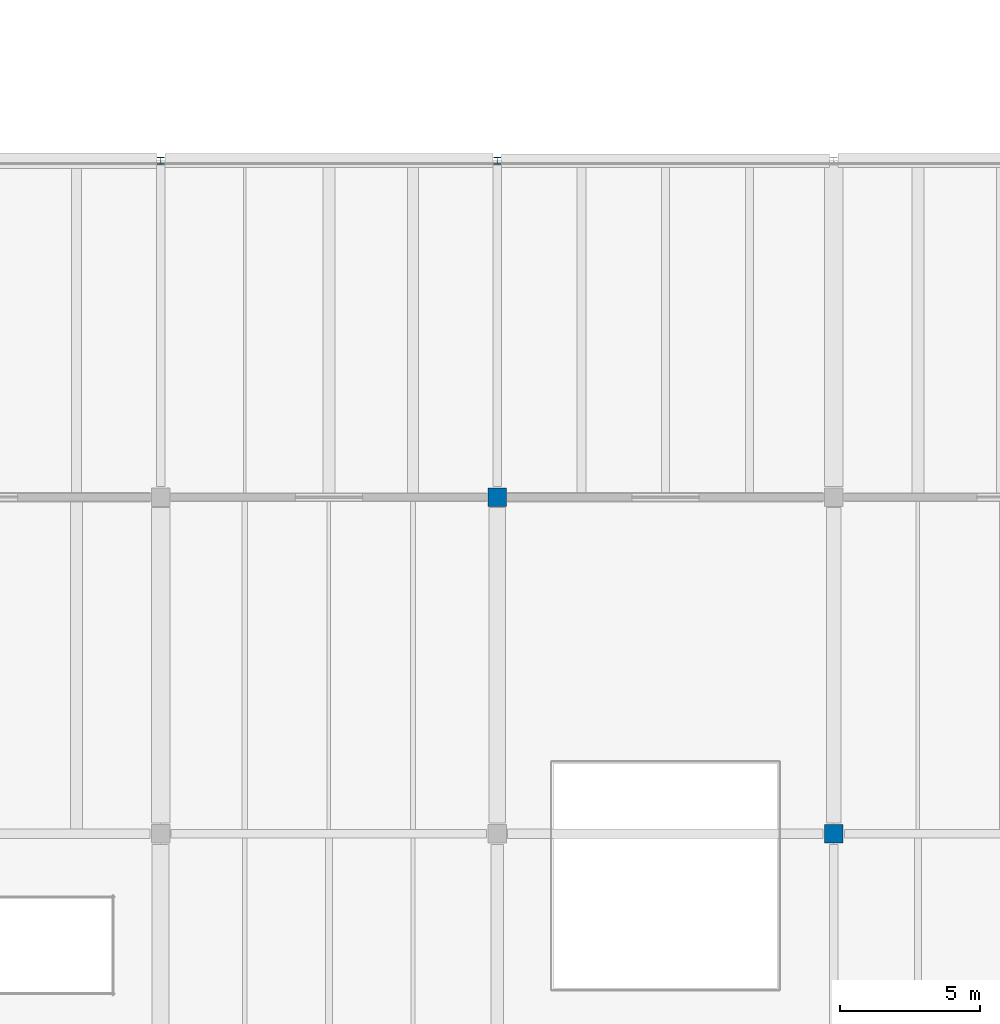
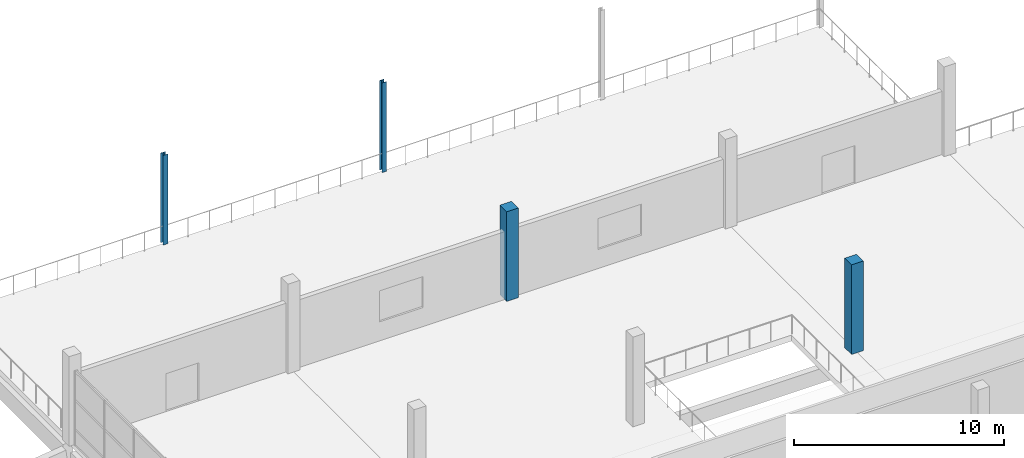
# One storey, part 4 of 112: 4 columns.
"""IFC4 building model written with IfcOpenShell, lengths in metres."""

from ifc_helpers import new_model, si_unit, direction, frame, origin, origin_2d, place, context, subcontext, project, spatial, rectangle, i_section, extrude, material, material_profile, profile_set, type_object, element, save


model = new_model("IFC4")

# Units and contexts
model_context = context("Model", 3, precision=1e-05, world=origin(), true_north=direction((0.0, 1.0)))
body_context = subcontext(model_context, "Body", "Model", "MODEL_VIEW")
ifc_project = project(units=[si_unit("LENGTHUNIT", "METRE"), si_unit("AREAUNIT", "SQUARE_METRE"), si_unit("VOLUMEUNIT", "CUBIC_METRE"), si_unit("PLANEANGLEUNIT", "RADIAN"), si_unit("MASSUNIT", "GRAM", prefix="KILO")], contexts=[model_context])

# Site, building, storey
site_placement = place(None, origin())
site = spatial("IfcSite", under=ifc_project, at=site_placement, CompositionType="ELEMENT")
building_placement = place(site_placement, origin())
building = spatial("IfcBuilding", under=site, at=building_placement, Name="Kamomehara Wholesale Market", CompositionType="ELEMENT")
storey_placement = place(building_placement, frame((0.0, 0.0, 6.60009765625)))
storey = spatial("IfcBuildingStorey", under=building, at=storey_placement, Name="L01", CompositionType="ELEMENT", Elevation=6.60009765625)

# Columns
ifc_material_1 = material(Name="Precast concrete Fc45 (C40/50)", Category="concrete")
ifc_material_profile_1 = material_profile(ifc_material_1, rectangle(XDim=0.64990234375, YDim=0.64990234375, at=origin_2d()), Name="PC-COL-650x650")
ifc_profile_set_1 = profile_set([ifc_material_profile_1], Name="Precast concrete Fc45 (C40/50)")
column_type_1 = type_object("IfcColumnType", Name="COL-PC650-EXT", PredefinedType="COLUMN", material=ifc_profile_set_1)
for number, where, z_axis, x_axis, name in (
    (1, (84.0, 60.0, 0.0), (0.0, 0.0, 1.0), (1.0, 0.0, 0.0), "Column C-06E L01"),
    (2, (96.0, 48.0, 0.0), (0.0, 0.0, 1.0), (1.0, 0.0, 0.0), "Column C-06E L01"),
):
    element("IfcColumn", number, at=place(storey_placement, frame(where, z_axis=z_axis, x_axis=x_axis)), inside=storey, type_object=column_type_1, Name=name, PredefinedType="COLUMN", context=body_context, shape_type="SweptSolid", body=[
        extrude(rectangle(XDim=0.64990234375, YDim=0.64990234375, at=origin_2d()), origin(), (0.0, 0.0, 1.0), 5.199951171875),
    ])
ifc_material_2 = material(Name="Steel SN490B", Category="steel")
ifc_material_profile_2 = material_profile(ifc_material_2, i_section(OverallWidth=0.25, OverallDepth=0.25, WebThickness=0.009033203125, FlangeThickness=0.013916015625, FilletRadius=0.012939453125, at=origin_2d()), Name="H-250x250x9x14")
ifc_profile_set_2 = profile_set([ifc_material_profile_2], Name="Steel SN490B")
column_type_2 = type_object("IfcColumnType", Name="COL-ST-H250", PredefinedType="COLUMN", material=ifc_profile_set_2)
for number, where, z_axis, x_axis, name in (
    (3, (72.0, 72.0, 0.0), (0.0, 0.0, 1.0), (1.0, 0.0, 0.0), "Column CS-04 L01"),
    (4, (84.0, 72.0, 0.0), (0.0, 0.0, 1.0), (1.0, 0.0, 0.0), "Column CS-04 L01"),
):
    element("IfcColumn", number, at=place(storey_placement, frame(where, z_axis=z_axis, x_axis=x_axis)), inside=storey, type_object=column_type_2, Name=name, PredefinedType="COLUMN", context=body_context, shape_type="SweptSolid", body=[
        extrude(i_section(OverallWidth=0.25, OverallDepth=0.25, WebThickness=0.009033203125, FlangeThickness=0.013916015625, FilletRadius=0.012939453125, at=origin_2d()), origin(), (0.0, 0.0, 1.0), 5.199951171875),
    ])

save(model, "model.ifc")
